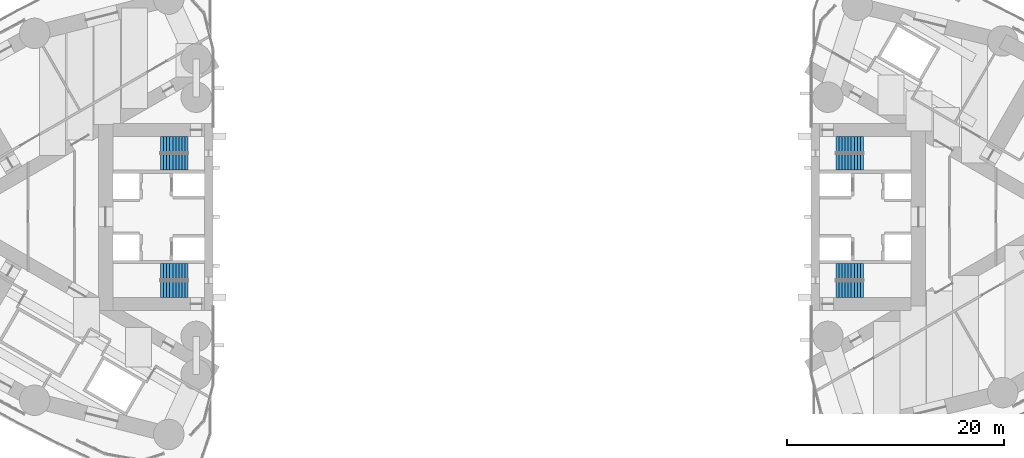
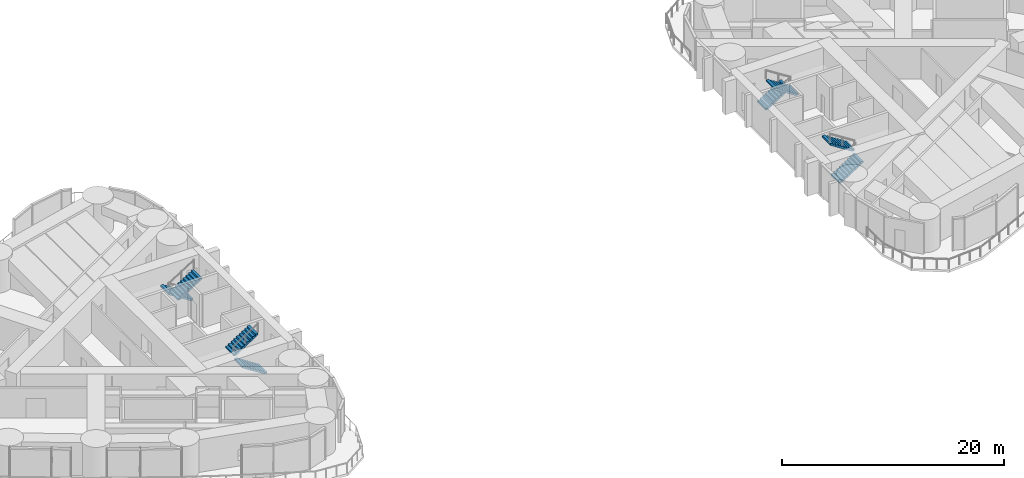
# One storey, part 15 of 17: 8 stair flights, 4 elements without a shape of their own.
"""IFC4 building model written with IfcOpenShell, lengths in metres."""

from ifc_helpers import new_model, si_unit, direction, frame, origin, place, context, subcontext, project, spatial, polyline, outline, extrude, material, type_object, element, aggregate, save


model = new_model("IFC4")

# Units and contexts
model_context = context("Model", 3, precision=1e-05, world=origin(), true_north=direction((0.0, 1.0)))
body_context = subcontext(model_context, "Body", "Model", "MODEL_VIEW")
ifc_project = project(units=[si_unit("LENGTHUNIT", "METRE"), si_unit("AREAUNIT", "SQUARE_METRE"), si_unit("VOLUMEUNIT", "CUBIC_METRE"), si_unit("PLANEANGLEUNIT", "RADIAN"), si_unit("MASSUNIT", "GRAM", prefix="KILO")], contexts=[model_context])

# Site, building, storey
site_placement = place(None, origin())
site = spatial("IfcSite", under=ifc_project, at=site_placement, CompositionType="ELEMENT")
building_placement = place(site_placement, origin())
building = spatial("IfcBuilding", under=site, at=building_placement, Name="Lancet Gate Hotel", CompositionType="ELEMENT")
storey_placement = place(building_placement, frame((0.0, 0.0, 152.699951171875)))
storey = spatial("IfcBuildingStorey", under=building, at=storey_placement, Name="L40", CompositionType="ELEMENT", Elevation=152.699951171875)

# Stair, stair flights
ifc_material_1 = material(Name="Exit stair 20 risers 1500")
stair_type = type_object("IfcStairType", Name="Exit stair 20 risers 1500", PredefinedType="HALF_TURN_STAIR", material=ifc_material_1)
stair_1_placement = place(storey_placement, origin())
stair_1 = element("IfcStair", 1, at=stair_1_placement, inside=storey, type_object=stair_type, Name="T1 stair 1 L40", PredefinedType="HALF_TURN_STAIR")
ifc_material_2 = material(Name="Stair flight 10 risers 180 rise 1500")
stair_flight_type = type_object("IfcStairFlightType", Name="Stair flight 10 risers 180 rise 1500", PredefinedType="STRAIGHT", material=ifc_material_2)
stair_flight_1_placement = place(storey_placement, frame((-29.800048828125, 6.64990234375, 0.0), z_axis=(0.0, 0.0, 1.0), x_axis=(-1.0, 0.0, 0.0)))
stair_flight_1 = element("IfcStairFlight", 2, at=stair_flight_1_placement, type_object=stair_flight_type, Name="ST1 flight 1", NumberOfRisers=10, NumberOfTreads=9, PredefinedType="STRAIGHT", RiserHeight=0.18, TreadLength=0.28, context=body_context, shape_type="SweptSolid", body=[
    extrude(outline(polyline([(0.0, 0.0), (0.0, 0.179931640625), (0.280029296875, 0.179931640625), (0.280029296875, 0.360107421875), (0.56005859375, 0.360107421875), (0.56005859375, 0.5400390625), (0.840087890625, 0.5400390625), (0.840087890625, 0.719970703125), (1.1201171875, 0.719970703125), (1.1201171875, 0.89990234375), (1.39990234375, 0.89990234375), (1.39990234375, 1.080078125), (1.679931640625, 1.080078125), (1.679931640625, 1.260009765625), (1.9599609375, 1.260009765625), (1.9599609375, 1.43994140625), (2.239990234375, 1.43994140625), (2.239990234375, 1.6201171875), (2.52001953125, 1.6201171875), (2.52001953125, 1.800048828125), (2.52001953125, 1.44189453125), (0.277099609375, 0.0), (0.0, 0.0)])), frame((0.0, 0.75, 0.0), z_axis=(0.0, -1.0, 0.0), x_axis=(1.0, 0.0, 0.0)), (0.0, 0.0, 1.0), 1.5),
])
stair_flight_2_placement = place(storey_placement, frame((-32.320068359375, 5.050048828125, 1.800048828125), z_axis=(0.0, 0.0, 1.0), x_axis=(1.0, 0.0, 0.0)))
stair_flight_2 = element("IfcStairFlight", 3, at=stair_flight_2_placement, type_object=stair_flight_type, Name="ST1 flight 2", NumberOfRisers=10, NumberOfTreads=9, PredefinedType="STRAIGHT", RiserHeight=0.18, TreadLength=0.28, context=body_context, shape_type="SweptSolid", body=[
    extrude(outline(polyline([(0.0, 0.0), (0.0, 0.179931640625), (0.280029296875, 0.179931640625), (0.280029296875, 0.360107421875), (0.56005859375, 0.360107421875), (0.56005859375, 0.5400390625), (0.840087890625, 0.5400390625), (0.840087890625, 0.719970703125), (1.1201171875, 0.719970703125), (1.1201171875, 0.89990234375), (1.39990234375, 0.89990234375), (1.39990234375, 1.080078125), (1.679931640625, 1.080078125), (1.679931640625, 1.260009765625), (1.9599609375, 1.260009765625), (1.9599609375, 1.43994140625), (2.239990234375, 1.43994140625), (2.239990234375, 1.6201171875), (2.52001953125, 1.6201171875), (2.52001953125, 1.800048828125), (2.52001953125, 1.44189453125), (0.277099609375, 0.0), (0.0, 0.0)])), frame((0.0, 0.75, 0.0), z_axis=(0.0, -1.0, 0.0), x_axis=(1.0, 0.0, 0.0)), (0.0, 0.0, 1.0), 1.5),
])
aggregate(stair_1, [stair_flight_1, stair_flight_2])

stair_2_placement = place(storey_placement, origin())
stair_2 = element("IfcStair", 4, at=stair_2_placement, inside=storey, type_object=stair_type, Name="T1 stair 2 L40", PredefinedType="HALF_TURN_STAIR")
stair_flight_3_placement = place(storey_placement, frame((-29.800048828125, -6.64990234375, 0.0), z_axis=(0.0, 0.0, 1.0), x_axis=(-1.0, 0.0, 0.0)))
stair_flight_3 = element("IfcStairFlight", 5, at=stair_flight_3_placement, type_object=stair_flight_type, Name="ST2 flight 1", NumberOfRisers=10, NumberOfTreads=9, PredefinedType="STRAIGHT", RiserHeight=0.18, TreadLength=0.28, context=body_context, shape_type="SweptSolid", body=[
    extrude(outline(polyline([(0.0, 0.0), (0.0, 0.179931640625), (0.280029296875, 0.179931640625), (0.280029296875, 0.360107421875), (0.56005859375, 0.360107421875), (0.56005859375, 0.5400390625), (0.840087890625, 0.5400390625), (0.840087890625, 0.719970703125), (1.1201171875, 0.719970703125), (1.1201171875, 0.89990234375), (1.39990234375, 0.89990234375), (1.39990234375, 1.080078125), (1.679931640625, 1.080078125), (1.679931640625, 1.260009765625), (1.9599609375, 1.260009765625), (1.9599609375, 1.43994140625), (2.239990234375, 1.43994140625), (2.239990234375, 1.6201171875), (2.52001953125, 1.6201171875), (2.52001953125, 1.800048828125), (2.52001953125, 1.44189453125), (0.277099609375, 0.0), (0.0, 0.0)])), frame((0.0, 0.75, 0.0), z_axis=(0.0, -1.0, 0.0), x_axis=(1.0, 0.0, 0.0)), (0.0, 0.0, 1.0), 1.5),
])
stair_flight_4_placement = place(storey_placement, frame((-32.320068359375, -5.050048828125, 1.800048828125), z_axis=(0.0, 0.0, 1.0), x_axis=(1.0, 0.0, 0.0)))
stair_flight_4 = element("IfcStairFlight", 6, at=stair_flight_4_placement, type_object=stair_flight_type, Name="ST2 flight 2", NumberOfRisers=10, NumberOfTreads=9, PredefinedType="STRAIGHT", RiserHeight=0.18, TreadLength=0.28, context=body_context, shape_type="SweptSolid", body=[
    extrude(outline(polyline([(0.0, 0.0), (0.0, 0.179931640625), (0.280029296875, 0.179931640625), (0.280029296875, 0.360107421875), (0.56005859375, 0.360107421875), (0.56005859375, 0.5400390625), (0.840087890625, 0.5400390625), (0.840087890625, 0.719970703125), (1.1201171875, 0.719970703125), (1.1201171875, 0.89990234375), (1.39990234375, 0.89990234375), (1.39990234375, 1.080078125), (1.679931640625, 1.080078125), (1.679931640625, 1.260009765625), (1.9599609375, 1.260009765625), (1.9599609375, 1.43994140625), (2.239990234375, 1.43994140625), (2.239990234375, 1.6201171875), (2.52001953125, 1.6201171875), (2.52001953125, 1.800048828125), (2.52001953125, 1.44189453125), (0.277099609375, 0.0), (0.0, 0.0)])), frame((0.0, 0.75, 0.0), z_axis=(0.0, -1.0, 0.0), x_axis=(1.0, 0.0, 0.0)), (0.0, 0.0, 1.0), 1.5),
])
aggregate(stair_2, [stair_flight_3, stair_flight_4])

stair_3_placement = place(storey_placement, origin())
stair_3 = element("IfcStair", 7, at=stair_3_placement, inside=storey, type_object=stair_type, Name="T2 stair 1 L40", PredefinedType="HALF_TURN_STAIR")
stair_flight_5_placement = place(storey_placement, frame((29.800048828125, -6.64990234375, 0.0), z_axis=(0.0, 0.0, 1.0), x_axis=(1.0, 0.0, 0.0)))
stair_flight_5 = element("IfcStairFlight", 8, at=stair_flight_5_placement, type_object=stair_flight_type, Name="ST3 flight 1", NumberOfRisers=10, NumberOfTreads=9, PredefinedType="STRAIGHT", RiserHeight=0.18, TreadLength=0.28, context=body_context, shape_type="SweptSolid", body=[
    extrude(outline(polyline([(0.0, 0.0), (0.0, 0.179931640625), (0.280029296875, 0.179931640625), (0.280029296875, 0.360107421875), (0.56005859375, 0.360107421875), (0.56005859375, 0.5400390625), (0.840087890625, 0.5400390625), (0.840087890625, 0.719970703125), (1.1201171875, 0.719970703125), (1.1201171875, 0.89990234375), (1.39990234375, 0.89990234375), (1.39990234375, 1.080078125), (1.679931640625, 1.080078125), (1.679931640625, 1.260009765625), (1.9599609375, 1.260009765625), (1.9599609375, 1.43994140625), (2.239990234375, 1.43994140625), (2.239990234375, 1.6201171875), (2.52001953125, 1.6201171875), (2.52001953125, 1.800048828125), (2.52001953125, 1.44189453125), (0.277099609375, 0.0), (0.0, 0.0)])), frame((0.0, 0.75, 0.0), z_axis=(0.0, -1.0, 0.0), x_axis=(1.0, 0.0, 0.0)), (0.0, 0.0, 1.0), 1.5),
])
stair_flight_6_placement = place(storey_placement, frame((32.320068359375, -5.050048828125, 1.800048828125), z_axis=(0.0, 0.0, 1.0), x_axis=(-1.0, 0.0, 0.0)))
stair_flight_6 = element("IfcStairFlight", 9, at=stair_flight_6_placement, type_object=stair_flight_type, Name="ST3 flight 2", NumberOfRisers=10, NumberOfTreads=9, PredefinedType="STRAIGHT", RiserHeight=0.18, TreadLength=0.28, context=body_context, shape_type="SweptSolid", body=[
    extrude(outline(polyline([(0.0, 0.0), (0.0, 0.179931640625), (0.280029296875, 0.179931640625), (0.280029296875, 0.360107421875), (0.56005859375, 0.360107421875), (0.56005859375, 0.5400390625), (0.840087890625, 0.5400390625), (0.840087890625, 0.719970703125), (1.1201171875, 0.719970703125), (1.1201171875, 0.89990234375), (1.39990234375, 0.89990234375), (1.39990234375, 1.080078125), (1.679931640625, 1.080078125), (1.679931640625, 1.260009765625), (1.9599609375, 1.260009765625), (1.9599609375, 1.43994140625), (2.239990234375, 1.43994140625), (2.239990234375, 1.6201171875), (2.52001953125, 1.6201171875), (2.52001953125, 1.800048828125), (2.52001953125, 1.44189453125), (0.277099609375, 0.0), (0.0, 0.0)])), frame((0.0, 0.75, 0.0), z_axis=(0.0, -1.0, 0.0), x_axis=(1.0, 0.0, 0.0)), (0.0, 0.0, 1.0), 1.5),
])
aggregate(stair_3, [stair_flight_5, stair_flight_6])

stair_4_placement = place(storey_placement, origin())
stair_4 = element("IfcStair", 10, at=stair_4_placement, inside=storey, type_object=stair_type, Name="T2 stair 2 L40", PredefinedType="HALF_TURN_STAIR")
stair_flight_7_placement = place(storey_placement, frame((29.800048828125, 6.64990234375, 0.0), z_axis=(0.0, 0.0, 1.0), x_axis=(1.0, 0.0, 0.0)))
stair_flight_7 = element("IfcStairFlight", 11, at=stair_flight_7_placement, type_object=stair_flight_type, Name="ST4 flight 1", NumberOfRisers=10, NumberOfTreads=9, PredefinedType="STRAIGHT", RiserHeight=0.18, TreadLength=0.28, context=body_context, shape_type="SweptSolid", body=[
    extrude(outline(polyline([(0.0, 0.0), (0.0, 0.179931640625), (0.280029296875, 0.179931640625), (0.280029296875, 0.360107421875), (0.56005859375, 0.360107421875), (0.56005859375, 0.5400390625), (0.840087890625, 0.5400390625), (0.840087890625, 0.719970703125), (1.1201171875, 0.719970703125), (1.1201171875, 0.89990234375), (1.39990234375, 0.89990234375), (1.39990234375, 1.080078125), (1.679931640625, 1.080078125), (1.679931640625, 1.260009765625), (1.9599609375, 1.260009765625), (1.9599609375, 1.43994140625), (2.239990234375, 1.43994140625), (2.239990234375, 1.6201171875), (2.52001953125, 1.6201171875), (2.52001953125, 1.800048828125), (2.52001953125, 1.44189453125), (0.277099609375, 0.0), (0.0, 0.0)])), frame((0.0, 0.75, 0.0), z_axis=(0.0, -1.0, 0.0), x_axis=(1.0, 0.0, 0.0)), (0.0, 0.0, 1.0), 1.5),
])
stair_flight_8_placement = place(storey_placement, frame((32.320068359375, 5.050048828125, 1.800048828125), z_axis=(0.0, 0.0, 1.0), x_axis=(-1.0, 0.0, 0.0)))
stair_flight_8 = element("IfcStairFlight", 12, at=stair_flight_8_placement, type_object=stair_flight_type, Name="ST4 flight 2", NumberOfRisers=10, NumberOfTreads=9, PredefinedType="STRAIGHT", RiserHeight=0.18, TreadLength=0.28, context=body_context, shape_type="SweptSolid", body=[
    extrude(outline(polyline([(0.0, 0.0), (0.0, 0.179931640625), (0.280029296875, 0.179931640625), (0.280029296875, 0.360107421875), (0.56005859375, 0.360107421875), (0.56005859375, 0.5400390625), (0.840087890625, 0.5400390625), (0.840087890625, 0.719970703125), (1.1201171875, 0.719970703125), (1.1201171875, 0.89990234375), (1.39990234375, 0.89990234375), (1.39990234375, 1.080078125), (1.679931640625, 1.080078125), (1.679931640625, 1.260009765625), (1.9599609375, 1.260009765625), (1.9599609375, 1.43994140625), (2.239990234375, 1.43994140625), (2.239990234375, 1.6201171875), (2.52001953125, 1.6201171875), (2.52001953125, 1.800048828125), (2.52001953125, 1.44189453125), (0.277099609375, 0.0), (0.0, 0.0)])), frame((0.0, 0.75, 0.0), z_axis=(0.0, -1.0, 0.0), x_axis=(1.0, 0.0, 0.0)), (0.0, 0.0, 1.0), 1.5),
])
aggregate(stair_4, [stair_flight_7, stair_flight_8])

save(model, "model.ifc")
